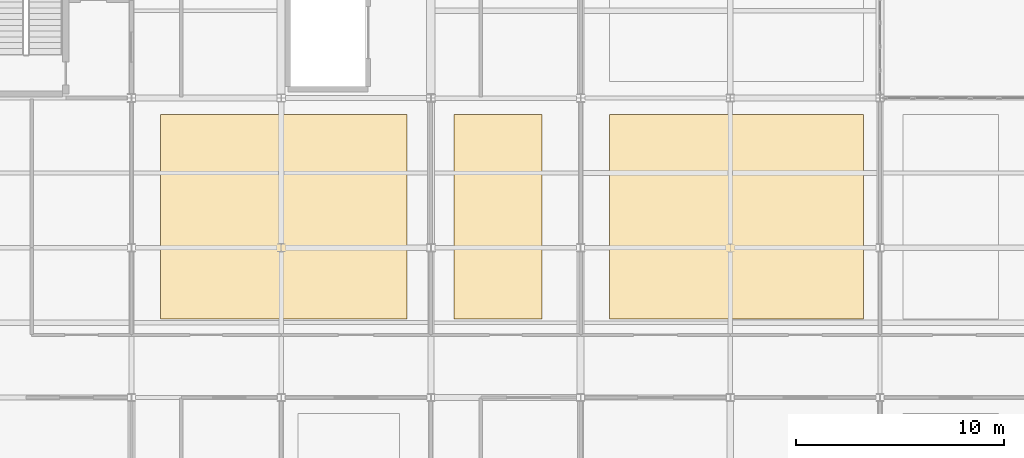
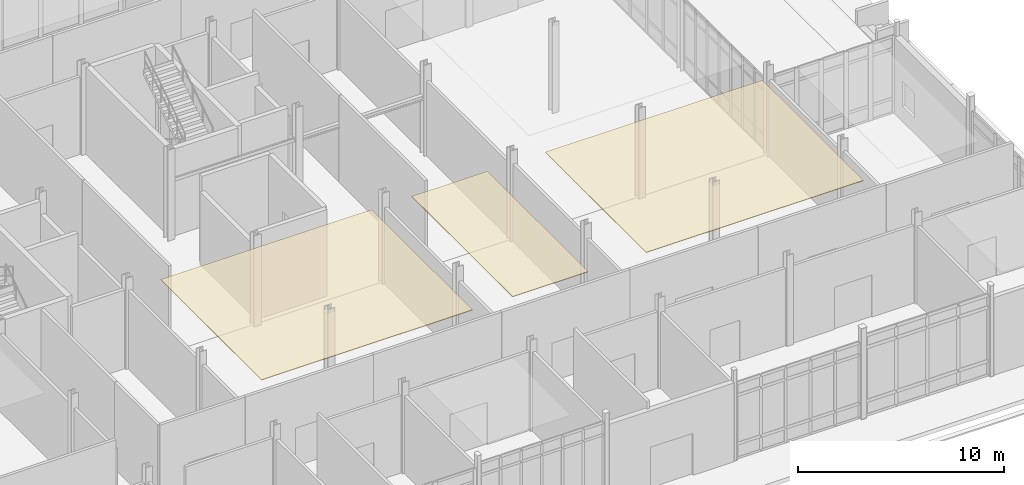
# One storey, part 225 of 229: 3 coverings.
"""IFC4 building model written with IfcOpenShell, lengths in metres."""

from ifc_helpers import new_model, si_unit, direction, frame, origin, place, context, subcontext, project, spatial, polyline, outline, extrude, material, layer, layer_set, type_object, element, save


model = new_model("IFC4")

# Units and contexts
model_context = context("Model", 3, precision=1e-05, world=origin(), true_north=direction((0.0, 1.0)))
body_context = subcontext(model_context, "Body", "Model", "MODEL_VIEW")
ifc_project = project(units=[si_unit("LENGTHUNIT", "METRE"), si_unit("AREAUNIT", "SQUARE_METRE"), si_unit("VOLUMEUNIT", "CUBIC_METRE"), si_unit("PLANEANGLEUNIT", "RADIAN"), si_unit("MASSUNIT", "GRAM", prefix="KILO")], contexts=[model_context])

# Site, building, storey
site_placement = place(None, origin())
site = spatial("IfcSite", under=ifc_project, at=site_placement, CompositionType="ELEMENT")
building_placement = place(site_placement, origin())
building = spatial("IfcBuilding", under=site, at=building_placement, Name="Calvrana Isthmian Art Gallery", CompositionType="ELEMENT")
storey_placement = place(building_placement, origin())
storey = spatial("IfcBuildingStorey", under=building, at=storey_placement, Name="L00", CompositionType="ELEMENT", Elevation=0.0)

# Coverings
ifc_material = material(Name="Acoustic gypsum ceiling", Category="gypsum")
ifc_layer = layer(ifc_material, 0.0400390625, Name="Acoustic gypsum ceiling")
ifc_layer_set = layer_set([ifc_layer], Name="Acoustic gypsum ceiling")
covering_type = type_object("IfcCoveringType", Name="COV-CEIL-ACOUST", PredefinedType="CEILING", material=ifc_layer_set)
covering_1_placement = place(storey_placement, frame((0.0, 0.0, 5.1220703125)))
element("IfcCovering", 1, at=covering_1_placement, inside=storey, type_object=covering_type, Name="Gallery acoustic ceiling 14", PredefinedType="CEILING", context=body_context, shape_type="SweptSolid", body=[
    extrude(outline(polyline([(121.39990234375, 10.97998046875), (133.25, 10.97998046875), (133.25, 20.800048828125), (121.39990234375, 20.800048828125), (121.39990234375, 10.97998046875)])), origin(), (0.0, 0.0, 1.0), 0.0400390625),
])
covering_2_placement = place(storey_placement, frame((0.0, 0.0, 5.1220703125)))
element("IfcCovering", 2, at=covering_2_placement, inside=storey, type_object=covering_type, Name="Gallery acoustic ceiling 15", PredefinedType="CEILING", context=body_context, shape_type="SweptSolid", body=[
    extrude(outline(polyline([(135.5, 10.97998046875), (139.75, 10.97998046875), (139.75, 20.800048828125), (135.5, 20.800048828125), (135.5, 10.97998046875)])), origin(), (0.0, 0.0, 1.0), 0.0400390625),
])
covering_3_placement = place(storey_placement, frame((0.0, 0.0, 5.1220703125)))
element("IfcCovering", 3, at=covering_3_placement, inside=storey, type_object=covering_type, Name="Gallery acoustic ceiling 16", PredefinedType="CEILING", context=body_context, shape_type="SweptSolid", body=[
    extrude(outline(polyline([(143.0, 10.97998046875), (155.199951171875, 10.97998046875), (155.199951171875, 20.800048828125), (143.0, 20.800048828125), (143.0, 10.97998046875)])), origin(), (0.0, 0.0, 1.0), 0.0400390625),
])

save(model, "model.ifc")
